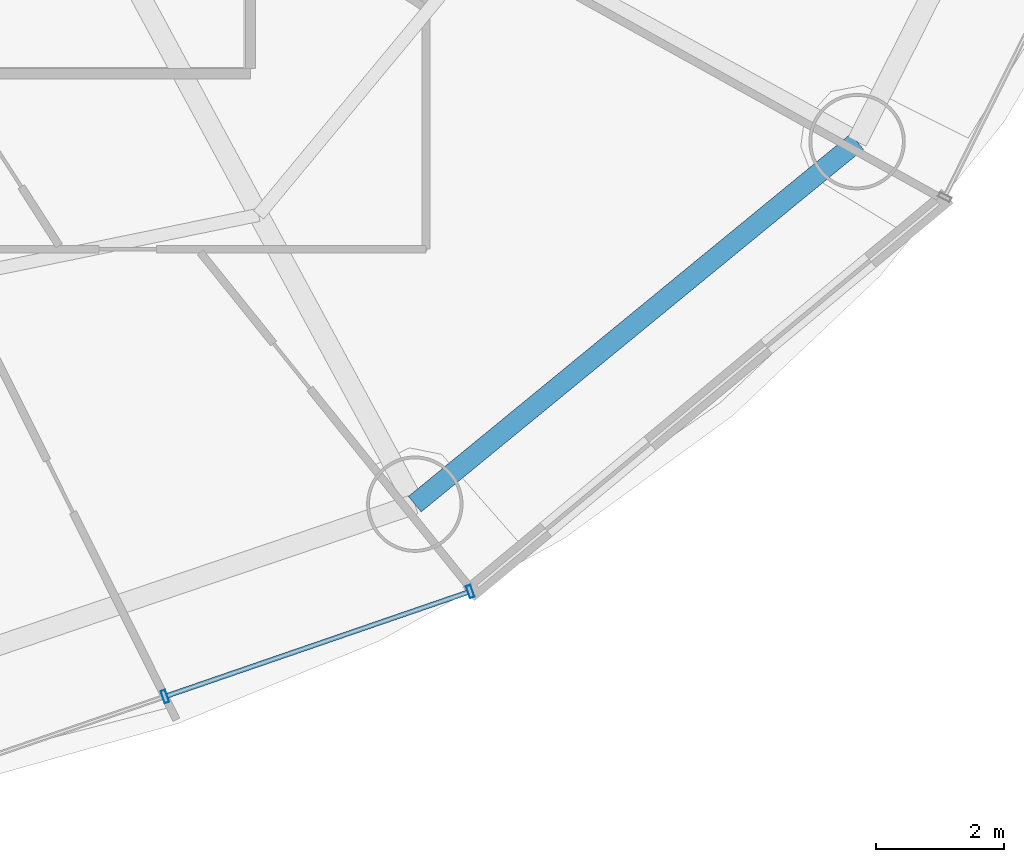
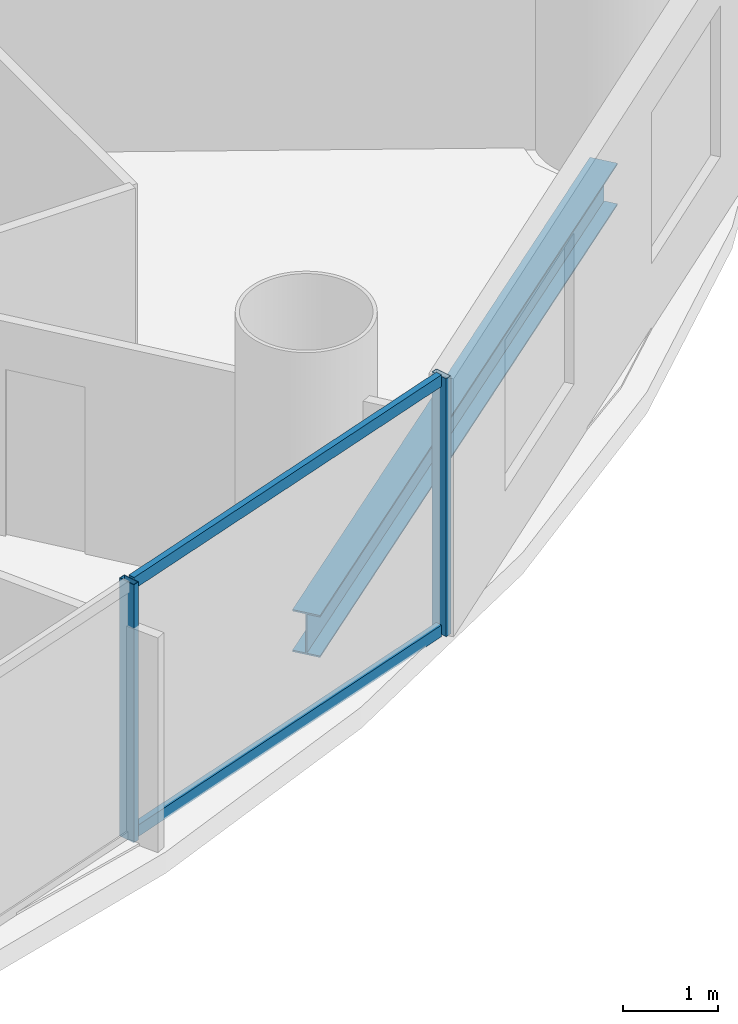
# One storey, part 11 of 29: 4 members, 1 beam, 1 element without a shape of its own.
"""IFC4 building model written with IfcOpenShell, lengths in metres."""

from ifc_helpers import new_model, si_unit, direction, frame, origin, origin_2d, place, context, subcontext, project, spatial, hollow_rectangle, i_section, extrude, source, transform, mapped, material, material_profile, profile_set, type_object, element, aggregate, save


model = new_model("IFC4")

# Units and contexts
model_context = context("Model", 3, precision=1e-05, world=origin(), true_north=direction((-0.2419218956, 0.970295726276)))
body_context = subcontext(model_context, "Body", "Model", "MODEL_VIEW")
ifc_project = project(units=[si_unit("LENGTHUNIT", "METRE"), si_unit("AREAUNIT", "SQUARE_METRE"), si_unit("VOLUMEUNIT", "CUBIC_METRE"), si_unit("PLANEANGLEUNIT", "RADIAN"), si_unit("MASSUNIT", "GRAM", prefix="KILO")], contexts=[model_context])

# Site, building, storey
site_placement = place(None, origin())
site = spatial("IfcSite", under=ifc_project, at=site_placement, CompositionType="ELEMENT")
building_placement = place(site_placement, origin())
building = spatial("IfcBuilding", under=site, at=building_placement, Name="Cobrevalo Terracotta Tower", CompositionType="ELEMENT")
storey_placement = place(building_placement, frame((0.0, 0.0, 119.39990234375)))
storey = spatial("IfcBuildingStorey", under=building, at=storey_placement, Name="L31", CompositionType="ELEMENT", Elevation=119.39990234375)

# Beam
ifc_material_1 = material(Name="Steel S355", Category="steel")
ifc_material_profile_1 = material_profile(ifc_material_1, i_section(OverallWidth=0.31201171875, OverallDepth=0.54296875, WebThickness=0.0126953125, FlangeThickness=0.020263671875, at=origin_2d()), Name="W 530x150")
ifc_profile_set_1 = profile_set([ifc_material_profile_1], Name="Steel S355")
beam_type = type_object("IfcBeamType", Name="Structural Spandrel W 530x150 (Steel S355)", PredefinedType="SPANDREL", material=ifc_profile_set_1)
beam_placement = place(storey_placement, frame((51.861572265625, 9.79638671875, -0.54638671875), z_axis=(0.773400923541, 0.633917196064, 0.0), x_axis=(-0.633917196064, 0.773400923541, 0.0)))
element("IfcBeam", 1, at=beam_placement, inside=storey, type_object=beam_type, Name="L31 perimeter ring spandrel 14", PredefinedType="SPANDREL", context=body_context, shape_type="SweptSolid", body=[
    extrude(i_section(OverallWidth=0.31201171875, OverallDepth=0.54296875, WebThickness=0.0126953125, FlangeThickness=0.020263671875, at=origin_2d()), origin(), (0.0, 0.0, 1.0), 8.900390625),
])

# Curtain wall, members
ifc_material_2 = material(Name="Anodized aluminium", Category="aluminium")
curtain_wall_type = type_object("IfcCurtainWallType", Name="Lower-tower unitised acoustic low-E curtain wall CW-U1", PredefinedType="NOTDEFINED", material=ifc_material_2)
curtain_wall_placement = place(storey_placement, origin())
curtain_wall = element("IfcCurtainWall", 2, at=curtain_wall_placement, inside=storey, type_object=curtain_wall_type, Name="L31 curtain wall CW-L31-S13", PredefinedType="NOTDEFINED")
ifc_material_profile_2 = material_profile(ifc_material_2, hollow_rectangle(XDim=0.074951171875, YDim=0.14990234375, WallThickness=0.00439453125, at=origin_2d()), Name="CWT 75x150")
ifc_profile_set_2 = profile_set([ifc_material_profile_2], Name="Anodized aluminium")
member_type_1 = type_object("IfcMemberType", Name="Tower unitised aluminium transom 75x150", PredefinedType="USERDEFINED", material=ifc_profile_set_2)
shared_shape_1 = source(origin(), body_context, "Body", "SweptSolid", [
    extrude(hollow_rectangle(XDim=0.074951171875, YDim=0.14990234375, WallThickness=0.00439453125, at=origin_2d()), origin(), (0.0, 0.0, 1.0), 4.944580078125),
])
member_1_placement = place(storey_placement, frame((48.01025390625, 6.814697265625, 0.050048828125), z_axis=(0.945597859971, 0.32533780478, 0.0), x_axis=(-0.32533780478, 0.945597859971, 0.0)))
member_1 = element("IfcMember", 3, at=member_1_placement, type_object=member_type_1, Name="CW-L31-S13 transom B02-T1", ObjectType="TRANSOM", PredefinedType="USERDEFINED", context=body_context, shape_type="MappedRepresentation", body=[
    mapped(shared_shape_1, transform((0.0, 0.0, 0.0), scale=1.0)),
])
member_2_placement = place(storey_placement, frame((48.01025390625, 6.814697265625, 3.275146484375), z_axis=(0.945597859971, 0.32533780478, 0.0), x_axis=(-0.32533780478, 0.945597859971, 0.0)))
member_2 = element("IfcMember", 4, at=member_2_placement, type_object=member_type_1, Name="CW-L31-S13 transom B02-T2", ObjectType="TRANSOM", PredefinedType="USERDEFINED", context=body_context, shape_type="MappedRepresentation", body=[
    mapped(shared_shape_1, transform((0.0, 0.0, 0.0), scale=1.0)),
])
ifc_material_profile_3 = material_profile(ifc_material_2, hollow_rectangle(XDim=0.074951171875, YDim=0.199951171875, WallThickness=0.0048828125, at=origin_2d()), Name="CWM 75x200")
ifc_profile_set_3 = profile_set([ifc_material_profile_3], Name="Anodized aluminium")
member_type_2 = type_object("IfcMemberType", Name="Lower/mid tower unitised mullion 75x200", PredefinedType="MULLION", material=ifc_profile_set_3)
shared_shape_2 = source(origin(), body_context, "Body", "SweptSolid", [
    extrude(hollow_rectangle(XDim=0.074951171875, YDim=0.199951171875, WallThickness=0.0048828125, at=origin_2d()), origin(), (0.0, 0.0, 1.0), 3.3251953125),
])
member_3_placement = place(storey_placement, frame((47.972412109375, 6.8017578125, 0.0), z_axis=(0.0, 0.0, 1.0), x_axis=(0.94559809868, 0.325337110968, 0.0)))
member_3 = element("IfcMember", 5, at=member_3_placement, type_object=member_type_2, Name="CW-L31-S13 vertical mullion 02", PredefinedType="MULLION", context=body_context, shape_type="MappedRepresentation", body=[
    mapped(shared_shape_2, transform((0.0, 0.0, 0.0), scale=1.0)),
])
member_4_placement = place(storey_placement, frame((52.7236328125, 8.4365234375, 0.0), z_axis=(0.0, 0.0, 1.0), x_axis=(0.94559809868, 0.325337110968, 0.0)))
member_4 = element("IfcMember", 6, at=member_4_placement, type_object=member_type_2, Name="CW-L31-S13 vertical mullion 03", PredefinedType="MULLION", context=body_context, shape_type="MappedRepresentation", body=[
    mapped(shared_shape_2, transform((0.0, 0.0, 0.0), scale=1.0)),
])
aggregate(curtain_wall, [member_3, member_4, member_1, member_2])

save(model, "model.ifc")
